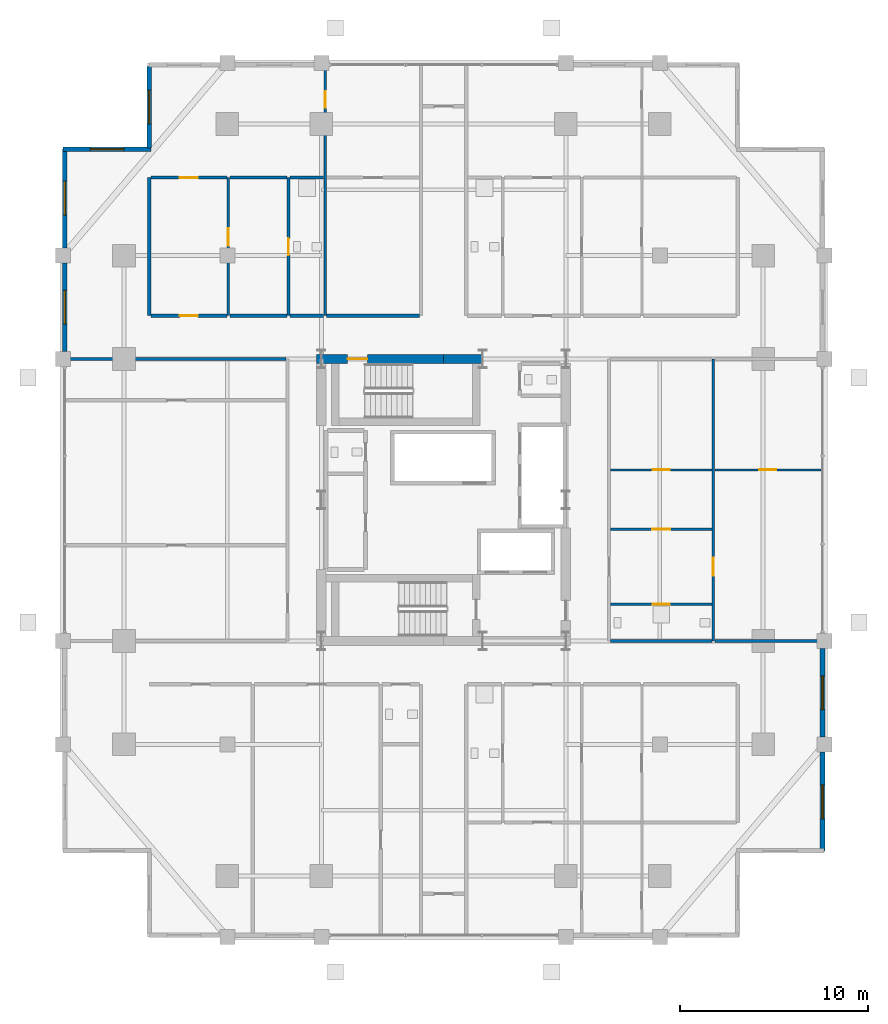
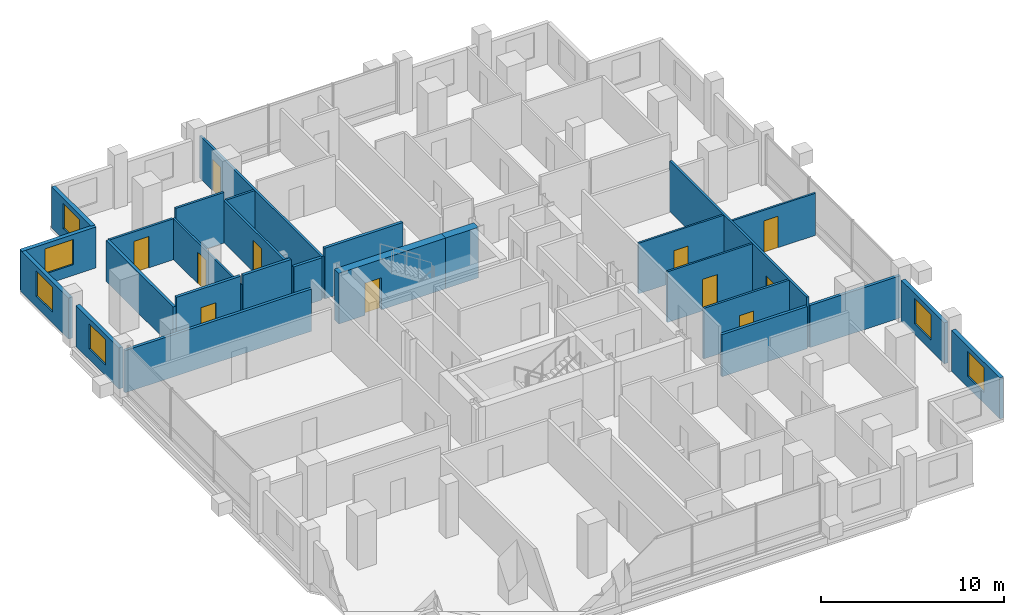
# One storey, part 16 of 20: 27 walls, 11 doors, 6 windows, 17 openings.
"""IFC4 building model written with IfcOpenShell, lengths in metres."""

from ifc_helpers import new_model, si_unit, direction, frame, frame_2d, origin, place, context, subcontext, project, spatial, rectangle, extrude, material, layer, layer_set, type_object, element, fill, save


model = new_model("IFC4")

# Units and contexts
model_context = context("Model", 3, precision=1e-05, world=origin(), true_north=direction((0.0, 1.0)))
body_context = subcontext(model_context, "Body", "Model", "MODEL_VIEW")
ifc_project = project(units=[si_unit("LENGTHUNIT", "METRE"), si_unit("AREAUNIT", "SQUARE_METRE"), si_unit("VOLUMEUNIT", "CUBIC_METRE"), si_unit("PLANEANGLEUNIT", "RADIAN"), si_unit("MASSUNIT", "GRAM", prefix="KILO")], contexts=[model_context])

# Site, building, storey
site_placement = place(None, origin())
site = spatial("IfcSite", under=ifc_project, at=site_placement, CompositionType="ELEMENT")
building_placement = place(site_placement, origin())
building = spatial("IfcBuilding", under=site, at=building_placement, Name="Barlavira Tower and Art Museum", CompositionType="ELEMENT")
storey_placement = place(building_placement, frame((0.0, 0.0, 147.60009765625)))
storey = spatial("IfcBuildingStorey", under=building, at=storey_placement, Name="L37", CompositionType="ELEMENT", Elevation=147.60009765625)

# Wall, opening, door
ifc_material_1 = material(Name="Gypsum acoustic stud partition", Category="gypsum")
ifc_layer_1 = layer(ifc_material_1, 0.1201171875, Name="Gypsum acoustic stud partition")
ifc_layer_set_1 = layer_set([ifc_layer_1], Name="Gypsum acoustic stud partition")
wall_type_1 = type_object("IfcWallType", Name="Apartment Internal Acoustic Partition 120", PredefinedType="PARTITIONING", material=ifc_layer_set_1)
wall_1_placement = place(storey_placement, frame((-11.449951171875, 9.800048828125, 0.0), z_axis=(0.0, 0.0, 1.0), x_axis=(0.0, 1.0, 0.0)))
wall_1 = element("IfcWall", 1, at=wall_1_placement, inside=storey, type_object=wall_type_1, Name="L37 Partition Wall 2", PredefinedType="PARTITIONING", context=body_context, shape_type="SweptSolid", body=[
    extrude(rectangle(XDim=7.349853515625, YDim=0.1201171875, at=frame_2d((3.6748046875, 0.0))), origin(), (0.0, 0.0, 1.0), 2.73583984375),
])
opening_1_placement = place(wall_1_placement, frame((3.71337890625, 0.0, 0.0)))
opening_1 = element("IfcOpeningElement", 2, at=opening_1_placement, cuts=wall_1, Name="Opening D-02", PredefinedType="OPENING", context=body_context, shape_type="SweptSolid", body=[
    extrude(rectangle(XDim=0.949951171875, YDim=2.10009765625, at=frame_2d((0.47509765625, 1.050048828125))), frame((0.0, 0.070068359375, 0.0), z_axis=(0.0, -1.0, 0.0), x_axis=(1.0, 0.0, 0.0)), (0.0, 0.0, 1.0), 0.14013671875),
])
ifc_material_2 = material(Name="Engineered coastal hardwood", Category="wood")
door_type_1 = type_object("IfcDoorType", Name="Living and Salon Glazed-Leaf Door 950x2100", OperationType="NOTDEFINED", PredefinedType="DOOR", material=ifc_material_2)
door_1_placement = place(opening_1_placement, origin())
door_1 = element("IfcDoor", 3, at=door_1_placement, inside=storey, type_object=door_type_1, Name="Apartment NW1 Kitchen Door", OperationType="SINGLE_SWING_LEFT", OverallHeight=2.10009765625, OverallWidth=0.949951171875, PredefinedType="DOOR", context=body_context, shape_type="SweptSolid", body=[
    extrude(rectangle(XDim=0.949951171875, YDim=2.10009765625, at=frame_2d((0.47509765625, 1.050048828125))), frame((0.0, 0.02490234375, 0.0), z_axis=(0.0, -1.0, 0.0), x_axis=(1.0, 0.0, 0.0)), (0.0, 0.0, 1.0), 0.050048828125),
])
fill(opening_1, door_1)

wall_2_placement = place(storey_placement, frame((8.8798828125, -1.550048828125, 0.0), z_axis=(0.0, 0.0, 1.0), x_axis=(1.0, 0.0, 0.0)))
wall_2 = element("IfcWall", 4, at=wall_2_placement, inside=storey, type_object=wall_type_1, Name="L37 Partition Wall 44", PredefinedType="PARTITIONING", context=body_context, shape_type="SweptSolid", body=[
    extrude(rectangle(XDim=5.39013671875, YDim=0.1201171875, at=frame_2d((2.695068359375, 0.0))), origin(), (0.0, 0.0, 1.0), 3.3798828125),
])
opening_2_placement = place(wall_2_placement, frame((2.215087890625, 0.0, 0.0)))
opening_2 = element("IfcOpeningElement", 5, at=opening_2_placement, cuts=wall_2, Name="Opening D-02", PredefinedType="OPENING", context=body_context, shape_type="SweptSolid", body=[
    extrude(rectangle(XDim=0.949951171875, YDim=2.10009765625, at=frame_2d((0.47509765625, 1.050048828125))), frame((0.0, 0.070068359375, 0.0), z_axis=(0.0, -1.0, 0.0), x_axis=(1.0, 0.0, 0.0)), (0.0, 0.0, 1.0), 0.14013671875),
])
door_2_placement = place(opening_2_placement, origin())
door_2 = element("IfcDoor", 6, at=door_2_placement, inside=storey, type_object=door_type_1, Name="Apartment E1 Kitchen Door", OperationType="SINGLE_SWING_LEFT", OverallHeight=2.10009765625, OverallWidth=0.949951171875, PredefinedType="DOOR", context=body_context, shape_type="SweptSolid", body=[
    extrude(rectangle(XDim=0.949951171875, YDim=2.10009765625, at=frame_2d((0.47509765625, 1.050048828125))), frame((0.0, 0.02490234375, 0.0), z_axis=(0.0, -1.0, 0.0), x_axis=(1.0, 0.0, 0.0)), (0.0, 0.0, 1.0), 0.050048828125),
])
fill(opening_2, door_2)

wall_3_placement = place(storey_placement, frame((8.8798828125, 1.60009765625, 0.0), z_axis=(0.0, 0.0, 1.0), x_axis=(1.0, 0.0, 0.0)))
wall_3 = element("IfcWall", 7, at=wall_3_placement, inside=storey, type_object=wall_type_1, Name="L37 Partition Wall 46", PredefinedType="PARTITIONING", context=body_context, shape_type="SweptSolid", body=[
    extrude(rectangle(XDim=5.39013671875, YDim=0.1201171875, at=frame_2d((2.695068359375, 0.0))), origin(), (0.0, 0.0, 1.0), 3.3798828125),
])
opening_3_placement = place(wall_3_placement, frame((2.239990234375, 0.0, 0.0)))
opening_3 = element("IfcOpeningElement", 8, at=opening_3_placement, cuts=wall_3, Name="Opening D-01", PredefinedType="OPENING", context=body_context, shape_type="SweptSolid", body=[
    extrude(rectangle(XDim=0.89990234375, YDim=2.10009765625, at=frame_2d((0.449951171875, 1.050048828125))), frame((0.0, 0.070068359375, 0.0), z_axis=(0.0, -1.0, 0.0), x_axis=(1.0, 0.0, 0.0)), (0.0, 0.0, 1.0), 0.14013671875),
])
door_type_2 = type_object("IfcDoorType", Name="Internal Bedroom Timber Flush Door 900x2100", OperationType="NOTDEFINED", PredefinedType="DOOR", material=ifc_material_2)
door_3_placement = place(opening_3_placement, origin())
door_3 = element("IfcDoor", 9, at=door_3_placement, inside=storey, type_object=door_type_2, Name="Apartment E1 Walk-In Dressing Room Door", OperationType="SINGLE_SWING_RIGHT", OverallHeight=2.10009765625, OverallWidth=0.89990234375, PredefinedType="DOOR", context=body_context, shape_type="SweptSolid", body=[
    extrude(rectangle(XDim=0.89990234375, YDim=2.10009765625, at=frame_2d((0.449951171875, 1.050048828125))), frame((0.0, 0.02490234375, 0.0), z_axis=(0.0, -1.0, 0.0), x_axis=(1.0, 0.0, 0.0)), (0.0, 0.0, 1.0), 0.050048828125),
])
fill(opening_3, door_3)

wall_4_placement = place(storey_placement, frame((14.429931640625, 1.60009765625, 0.0), z_axis=(0.0, 0.0, 1.0), x_axis=(1.0, 0.0, 0.0)))
wall_4 = element("IfcWall", 10, at=wall_4_placement, inside=storey, type_object=wall_type_1, Name="L37 Partition Wall 47", PredefinedType="PARTITIONING", context=body_context, shape_type="SweptSolid", body=[
    extrude(rectangle(XDim=5.64013671875, YDim=0.1201171875, at=frame_2d((2.820068359375, 0.0))), origin(), (0.0, 0.0, 1.0), 2.81591796875),
])
opening_4_placement = place(wall_4_placement, frame((2.3701171875, 0.0, 0.0)))
opening_4 = element("IfcOpeningElement", 11, at=opening_4_placement, cuts=wall_4, Name="Opening D-01", PredefinedType="OPENING", context=body_context, shape_type="SweptSolid", body=[
    extrude(rectangle(XDim=0.89990234375, YDim=2.10009765625, at=frame_2d((0.449951171875, 1.050048828125))), frame((0.0, 0.070068359375, 0.0), z_axis=(0.0, -1.0, 0.0), x_axis=(1.0, 0.0, 0.0)), (0.0, 0.0, 1.0), 0.14013671875),
])
door_4_placement = place(opening_4_placement, origin())
door_4 = element("IfcDoor", 12, at=door_4_placement, inside=storey, type_object=door_type_2, Name="Apartment E1 Bedroom 1 Door", OperationType="SINGLE_SWING_RIGHT", OverallHeight=2.10009765625, OverallWidth=0.89990234375, PredefinedType="DOOR", context=body_context, shape_type="SweptSolid", body=[
    extrude(rectangle(XDim=0.89990234375, YDim=2.10009765625, at=frame_2d((0.449951171875, 1.050048828125))), frame((0.0, 0.02490234375, 0.0), z_axis=(0.0, -1.0, 0.0), x_axis=(1.0, 0.0, 0.0)), (0.0, 0.0, 1.0), 0.050048828125),
])
fill(opening_4, door_4)

ifc_material_3 = material(Name="Concrete C60", Category="concrete")
ifc_layer_2 = layer(ifc_material_3, 0.5, Name="Concrete C60")
ifc_layer_set_2 = layer_set([ifc_layer_2], Name="Concrete C60")
wall_type_2 = type_object("IfcWallType", Name="Core Structural Shear Wall 500 Concrete C60", PredefinedType="SHEAR", material=ifc_layer_set_2)
wall_5_placement = place(storey_placement, frame((-6.75, 7.5, 0.0), z_axis=(0.0, 0.0, 1.0), x_axis=(1.0, 0.0, 0.0)))
wall_5 = element("IfcWall", 13, at=wall_5_placement, inside=storey, type_object=wall_type_2, Name="L37 Core Shear Wall CS-NW", PredefinedType="SHEAR", context=body_context, shape_type="SweptSolid", body=[
    extrude(rectangle(XDim=6.75, YDim=0.5, at=frame_2d((3.375, 0.0))), origin(), (0.0, 0.0, 1.0), 3.3798828125),
])
opening_5_placement = place(wall_5_placement, frame((1.64990234375, 0.0, 0.0)))
opening_5 = element("IfcOpeningElement", 14, at=opening_5_placement, cuts=wall_5, Name="Opening FD-90", PredefinedType="OPENING", context=body_context, shape_type="SweptSolid", body=[
    extrude(rectangle(XDim=1.050048828125, YDim=2.14990234375, at=frame_2d((0.52490234375, 1.074951171875))), frame((0.0, 0.260009765625, 0.0), z_axis=(0.0, -1.0, 0.0), x_axis=(1.0, 0.0, 0.0)), (0.0, 0.0, 1.0), 0.52001953125),
])
ifc_material_4 = material(Name="Brushed stainless steel", Category="steel")
door_type_3 = type_object("IfcDoorType", Name="Stair and Refuge Fire Door 1050x2150 FD90S", OperationType="NOTDEFINED", PredefinedType="DOOR", material=ifc_material_4)
door_5_placement = place(opening_5_placement, origin())
door_5 = element("IfcDoor", 15, at=door_5_placement, inside=storey, type_object=door_type_3, Name="L37 Stair ST-T2 Fire Door", OperationType="SINGLE_SWING_LEFT", OverallHeight=2.14990234375, OverallWidth=1.050048828125, PredefinedType="DOOR", context=body_context, shape_type="SweptSolid", body=[
    extrude(rectangle(XDim=1.050048828125, YDim=2.14990234375, at=frame_2d((0.52490234375, 1.074951171875))), frame((0.0, 0.02490234375, 0.0), z_axis=(0.0, -1.0, 0.0), x_axis=(1.0, 0.0, 0.0)), (0.0, 0.0, 1.0), 0.050048828125),
])
fill(opening_5, door_5)

# Walls
wall_6_placement = place(storey_placement, frame((0.0, 7.5, 0.0), z_axis=(0.0, 0.0, 1.0), x_axis=(1.0, 0.0, 0.0)))
element("IfcWall", 16, at=wall_6_placement, inside=storey, type_object=wall_type_2, Name="L37 Core Shear Wall CS-EN", PredefinedType="SHEAR", context=body_context, shape_type="SweptSolid", body=[
    extrude(rectangle(XDim=2.080078125, YDim=0.5, at=frame_2d((1.0400390625, 0.0))), origin(), (0.0, 0.0, 1.0), 3.3798828125),
])
ifc_layer_3 = layer(ifc_material_1, 0.179931640625, Name="Gypsum acoustic stud partition")
ifc_layer_set_3 = layer_set([ifc_layer_3], Name="Gypsum acoustic stud partition")
wall_type_3 = type_object("IfcWallType", Name="Inter-Tenancy Party Partition Wall 180", PredefinedType="PARTITIONING", material=ifc_layer_set_3)
wall_7_placement = place(storey_placement, frame((-15.64990234375, 9.800048828125, 0.0), z_axis=(0.0, 0.0, 1.0), x_axis=(0.0, 1.0, 0.0)))
element("IfcWall", 17, at=wall_7_placement, inside=storey, type_object=wall_type_3, Name="L37 Partition Wall 1", PredefinedType="PARTITIONING", context=body_context, shape_type="SweptSolid", body=[
    extrude(rectangle(XDim=7.349853515625, YDim=0.179931640625, at=frame_2d((3.6748046875, 0.0))), origin(), (0.0, 0.0, 1.0), 2.73583984375),
])
wall_8_placement = place(storey_placement, frame((8.8798828125, -7.5, 0.0), z_axis=(0.0, 0.0, 1.0), x_axis=(1.0, 0.0, 0.0)))
element("IfcWall", 18, at=wall_8_placement, inside=storey, type_object=wall_type_3, Name="L37 Partition Wall 39", PredefinedType="PARTITIONING", context=body_context, shape_type="SweptSolid", body=[
    extrude(rectangle(XDim=5.39013671875, YDim=0.179931640625, at=frame_2d((2.695068359375, 0.0))), origin(), (0.0, 0.0, 1.0), 2.81591796875),
])
wall_9_placement = place(storey_placement, frame((14.429931640625, -7.5, 0.0), z_axis=(0.0, 0.0, 1.0), x_axis=(1.0, 0.0, 0.0)))
element("IfcWall", 19, at=wall_9_placement, inside=storey, type_object=wall_type_3, Name="L37 Partition Wall 40", PredefinedType="PARTITIONING", context=body_context, shape_type="SweptSolid", body=[
    extrude(rectangle(XDim=5.719970703125, YDim=0.179931640625, at=frame_2d((2.85986328125, 0.0))), origin(), (0.0, 0.0, 1.0), 2.81591796875),
])
wall_10_placement = place(storey_placement, frame((-20.14990234375, 7.5, 0.0), z_axis=(0.0, 0.0, 1.0), x_axis=(1.0, 0.0, 0.0)))
element("IfcWall", 20, at=wall_10_placement, inside=storey, type_object=wall_type_3, Name="L37 Partition Wall 52", PredefinedType="PARTITIONING", context=body_context, shape_type="SweptSolid", body=[
    extrude(rectangle(XDim=11.77001953125, YDim=0.179931640625, at=frame_2d((5.885009765625, 0.0))), origin(), (0.0, 0.0, 1.0), 2.81591796875),
])

# Wall, opening, door
wall_11_placement = place(storey_placement, frame((-15.570068359375, 9.800048828125, 0.0), z_axis=(0.0, 0.0, 1.0), x_axis=(1.0, 0.0, 0.0)))
wall_11 = element("IfcWall", 21, at=wall_11_placement, inside=storey, type_object=wall_type_3, Name="L37 Partition Wall 55", PredefinedType="PARTITIONING", context=body_context, shape_type="SweptSolid", body=[
    extrude(rectangle(XDim=4.0400390625, YDim=0.179931640625, at=frame_2d((2.02001953125, 0.0))), origin(), (0.0, 0.0, 1.0), 3.3798828125),
])
opening_6_placement = place(wall_11_placement, frame((1.544921875, 0.0, 0.0)))
opening_6 = element("IfcOpeningElement", 22, at=opening_6_placement, cuts=wall_11, Name="Opening FD-60", PredefinedType="OPENING", context=body_context, shape_type="SweptSolid", body=[
    extrude(rectangle(XDim=0.949951171875, YDim=2.14990234375, at=frame_2d((0.47509765625, 1.074951171875))), frame((0.0, 0.10009765625, 0.0), z_axis=(0.0, -1.0, 0.0), x_axis=(1.0, 0.0, 0.0)), (0.0, 0.0, 1.0), 0.199951171875),
])
door_type_4 = type_object("IfcDoorType", Name="Apartment Entrance and Riser Fire Door 950x2150 FD60S", OperationType="NOTDEFINED", PredefinedType="DOOR", material=ifc_material_4)
door_6_placement = place(opening_6_placement, origin())
door_6 = element("IfcDoor", 23, at=door_6_placement, inside=storey, type_object=door_type_4, Name="Apartment Entrance Hall NW1 Door", OperationType="SINGLE_SWING_RIGHT", OverallHeight=2.14990234375, OverallWidth=0.949951171875, PredefinedType="DOOR", context=body_context, shape_type="SweptSolid", body=[
    extrude(rectangle(XDim=0.949951171875, YDim=2.14990234375, at=frame_2d((0.47509765625, 1.074951171875))), frame((0.0, 0.02490234375, 0.0), z_axis=(0.0, -1.0, 0.0), x_axis=(1.0, 0.0, 0.0)), (0.0, 0.0, 1.0), 0.050048828125),
])
fill(opening_6, door_6)

# Walls
wall_12_placement = place(storey_placement, frame((-11.3701171875, 9.800048828125, 0.0), z_axis=(0.0, 0.0, 1.0), x_axis=(1.0, 0.0, 0.0)))
element("IfcWall", 24, at=wall_12_placement, inside=storey, type_object=wall_type_3, Name="L37 Partition Wall 56", PredefinedType="PARTITIONING", context=body_context, shape_type="SweptSolid", body=[
    extrude(rectangle(XDim=3.0400390625, YDim=0.179931640625, at=frame_2d((1.52001953125, 0.0))), origin(), (0.0, 0.0, 1.0), 3.3798828125),
])
wall_13_placement = place(storey_placement, frame((-8.169921875, 9.800048828125, 0.0), z_axis=(0.0, 0.0, 1.0), x_axis=(1.0, 0.0, 0.0)))
element("IfcWall", 25, at=wall_13_placement, inside=storey, type_object=wall_type_3, Name="L37 Partition Wall 57", PredefinedType="PARTITIONING", context=body_context, shape_type="SweptSolid", body=[
    extrude(rectangle(XDim=1.7900390625, YDim=0.179931640625, at=frame_2d((0.89501953125, 0.0))), origin(), (0.0, 0.0, 1.0), 2.81591796875),
])
wall_14_placement = place(storey_placement, frame((-6.219970703125, 9.800048828125, 0.0), z_axis=(0.0, 0.0, 1.0), x_axis=(1.0, 0.0, 0.0)))
element("IfcWall", 26, at=wall_14_placement, inside=storey, type_object=wall_type_3, Name="L37 Partition Wall 58", PredefinedType="PARTITIONING", context=body_context, shape_type="SweptSolid", body=[
    extrude(rectangle(XDim=4.93994140625, YDim=0.179931640625, at=frame_2d((2.469970703125, 0.0))), origin(), (0.0, 0.0, 1.0), 3.3798828125),
])

# Wall, opening, door
ifc_layer_4 = layer(ifc_material_1, 0.139892578125, Name="Gypsum acoustic stud partition")
ifc_layer_set_4 = layer_set([ifc_layer_4], Name="Gypsum acoustic stud partition")
wall_type_4 = type_object("IfcWallType", Name="Moisture-Resistant Bathroom Partition 140", PredefinedType="PARTITIONING", material=ifc_layer_set_4)
wall_15_placement = place(storey_placement, frame((-8.25, 9.800048828125, 0.0), z_axis=(0.0, 0.0, 1.0), x_axis=(0.0, 1.0, 0.0)))
wall_15 = element("IfcWall", 27, at=wall_15_placement, inside=storey, type_object=wall_type_4, Name="L37 Partition Wall 5", PredefinedType="PARTITIONING", context=body_context, shape_type="SweptSolid", body=[
    extrude(rectangle(XDim=7.349853515625, YDim=0.139892578125, at=frame_2d((3.6748046875, 0.0))), origin(), (0.0, 0.0, 1.0), 2.81591796875),
])
opening_7_placement = place(wall_15_placement, frame((3.219970703125, 0.0, 0.0)))
opening_7 = element("IfcOpeningElement", 28, at=opening_7_placement, cuts=wall_15, Name="Opening D-WC", PredefinedType="OPENING", context=body_context, shape_type="SweptSolid", body=[
    extrude(rectangle(XDim=0.89990234375, YDim=2.10009765625, at=frame_2d((0.449951171875, 1.050048828125))), frame((0.0, 0.080078125, 0.0), z_axis=(0.0, -1.0, 0.0), x_axis=(1.0, 0.0, 0.0)), (0.0, 0.0, 1.0), 0.159912109375),
])
door_type_5 = type_object("IfcDoorType", Name="Accessible Bathroom Flush Door 900x2100", OperationType="NOTDEFINED", PredefinedType="DOOR", material=ifc_material_2)
door_7_placement = place(opening_7_placement, origin())
door_7 = element("IfcDoor", 29, at=door_7_placement, inside=storey, type_object=door_type_5, Name="Apartment NW1 Hall Bathroom Door", OperationType="SINGLE_SWING_RIGHT", OverallHeight=2.10009765625, OverallWidth=0.89990234375, PredefinedType="DOOR", context=body_context, shape_type="SweptSolid", body=[
    extrude(rectangle(XDim=0.89990234375, YDim=2.10009765625, at=frame_2d((0.449951171875, 1.050048828125))), frame((0.0, 0.02490234375, 0.0), z_axis=(0.0, -1.0, 0.0), x_axis=(1.0, 0.0, 0.0)), (0.0, 0.0, 1.0), 0.050048828125),
])
fill(opening_7, door_7)

wall_16_placement = place(storey_placement, frame((-6.300048828125, 9.800048828125, 0.0), z_axis=(0.0, 0.0, 1.0), x_axis=(0.0, 1.0, 0.0)))
wall_16 = element("IfcWall", 30, at=wall_16_placement, inside=storey, type_object=wall_type_4, Name="L37 Partition Wall 6", PredefinedType="PARTITIONING", context=body_context, shape_type="SweptSolid", body=[
    extrude(rectangle(XDim=13.349853515625, YDim=0.139892578125, at=frame_2d((6.6748046875, 0.0))), origin(), (0.0, 0.0, 1.0), 2.81591796875),
])
opening_8_placement = place(wall_16_placement, frame((11.051025390625, 0.0, 0.0)))
opening_8 = element("IfcOpeningElement", 31, at=opening_8_placement, cuts=wall_16, Name="Opening D-01", PredefinedType="OPENING", context=body_context, shape_type="SweptSolid", body=[
    extrude(rectangle(XDim=0.89990234375, YDim=2.10009765625, at=frame_2d((0.449951171875, 1.050048828125))), frame((0.0, 0.080078125, 0.0), z_axis=(0.0, -1.0, 0.0), x_axis=(1.0, 0.0, 0.0)), (0.0, 0.0, 1.0), 0.159912109375),
])
door_8_placement = place(opening_8_placement, origin())
door_8 = element("IfcDoor", 32, at=door_8_placement, inside=storey, type_object=door_type_2, Name="Apartment NW1 Bedroom 1 Door", OperationType="SINGLE_SWING_LEFT", OverallHeight=2.10009765625, OverallWidth=0.89990234375, PredefinedType="DOOR", context=body_context, shape_type="SweptSolid", body=[
    extrude(rectangle(XDim=0.89990234375, YDim=2.10009765625, at=frame_2d((0.449951171875, 1.050048828125))), frame((0.0, 0.02490234375, 0.0), z_axis=(0.0, -1.0, 0.0), x_axis=(1.0, 0.0, 0.0)), (0.0, 0.0, 1.0), 0.050048828125),
])
fill(opening_8, door_8)

wall_17_placement = place(storey_placement, frame((14.35009765625, -7.5, 0.0), z_axis=(0.0, 0.0, 1.0), x_axis=(0.0, 1.0, 0.0)))
wall_17 = element("IfcWall", 33, at=wall_17_placement, inside=storey, type_object=wall_type_4, Name="L37 Partition Wall 22", PredefinedType="PARTITIONING", context=body_context, shape_type="SweptSolid", body=[
    extrude(rectangle(XDim=15.0, YDim=0.139892578125, at=frame_2d((7.5, 0.0))), origin(), (0.0, 0.0, 1.0), 3.3798828125),
])
opening_9_placement = place(wall_17_placement, frame((3.47509765625, 0.0, 0.0)))
opening_9 = element("IfcOpeningElement", 34, at=opening_9_placement, cuts=wall_17, Name="Opening D-02", PredefinedType="OPENING", context=body_context, shape_type="SweptSolid", body=[
    extrude(rectangle(XDim=0.949951171875, YDim=2.10009765625, at=frame_2d((0.47509765625, 1.050048828125))), frame((0.0, 0.080078125, 0.0), z_axis=(0.0, -1.0, 0.0), x_axis=(1.0, 0.0, 0.0)), (0.0, 0.0, 1.0), 0.159912109375),
])
door_9_placement = place(opening_9_placement, origin())
door_9 = element("IfcDoor", 35, at=door_9_placement, inside=storey, type_object=door_type_1, Name="Apartment E1 Living Lounge Door", OperationType="SINGLE_SWING_LEFT", OverallHeight=2.10009765625, OverallWidth=0.949951171875, PredefinedType="DOOR", context=body_context, shape_type="SweptSolid", body=[
    extrude(rectangle(XDim=0.949951171875, YDim=2.10009765625, at=frame_2d((0.47509765625, 1.050048828125))), frame((0.0, 0.02490234375, 0.0), z_axis=(0.0, -1.0, 0.0), x_axis=(1.0, 0.0, 0.0)), (0.0, 0.0, 1.0), 0.050048828125),
])
fill(opening_9, door_9)

wall_18_placement = place(storey_placement, frame((8.8798828125, -5.550048828125, 0.0), z_axis=(0.0, 0.0, 1.0), x_axis=(1.0, 0.0, 0.0)))
wall_18 = element("IfcWall", 36, at=wall_18_placement, inside=storey, type_object=wall_type_4, Name="L37 Partition Wall 41", PredefinedType="PARTITIONING", context=body_context, shape_type="SweptSolid", body=[
    extrude(rectangle(XDim=5.39013671875, YDim=0.139892578125, at=frame_2d((2.695068359375, 0.0))), origin(), (0.0, 0.0, 1.0), 3.3798828125),
])
opening_10_placement = place(wall_18_placement, frame((2.239990234375, 0.0, 0.0)))
opening_10 = element("IfcOpeningElement", 37, at=opening_10_placement, cuts=wall_18, Name="Opening D-WC", PredefinedType="OPENING", context=body_context, shape_type="SweptSolid", body=[
    extrude(rectangle(XDim=0.89990234375, YDim=2.10009765625, at=frame_2d((0.449951171875, 1.050048828125))), frame((0.0, 0.080078125, 0.0), z_axis=(0.0, -1.0, 0.0), x_axis=(1.0, 0.0, 0.0)), (0.0, 0.0, 1.0), 0.159912109375),
])
door_10_placement = place(opening_10_placement, origin())
door_10 = element("IfcDoor", 38, at=door_10_placement, inside=storey, type_object=door_type_5, Name="Apartment E1 Hall Bathroom Door", OperationType="SINGLE_SWING_LEFT", OverallHeight=2.10009765625, OverallWidth=0.89990234375, PredefinedType="DOOR", context=body_context, shape_type="SweptSolid", body=[
    extrude(rectangle(XDim=0.89990234375, YDim=2.10009765625, at=frame_2d((0.449951171875, 1.050048828125))), frame((0.0, 0.02490234375, 0.0), z_axis=(0.0, -1.0, 0.0), x_axis=(1.0, 0.0, 0.0)), (0.0, 0.0, 1.0), 0.050048828125),
])
fill(opening_10, door_10)

wall_19_placement = place(storey_placement, frame((-15.570068359375, 17.14990234375, 0.0), z_axis=(0.0, 0.0, 1.0), x_axis=(1.0, 0.0, 0.0)))
wall_19 = element("IfcWall", 39, at=wall_19_placement, inside=storey, type_object=wall_type_4, Name="L37 Partition Wall 63", PredefinedType="PARTITIONING", context=body_context, shape_type="SweptSolid", body=[
    extrude(rectangle(XDim=4.0400390625, YDim=0.139892578125, at=frame_2d((2.02001953125, 0.0))), origin(), (0.0, 0.0, 1.0), 2.73583984375),
])
opening_11_placement = place(wall_19_placement, frame((1.544921875, 0.0, 0.0)))
opening_11 = element("IfcOpeningElement", 40, at=opening_11_placement, cuts=wall_19, Name="Opening D-02", PredefinedType="OPENING", context=body_context, shape_type="SweptSolid", body=[
    extrude(rectangle(XDim=0.949951171875, YDim=2.10009765625, at=frame_2d((0.47509765625, 1.050048828125))), frame((0.0, 0.080078125, 0.0), z_axis=(0.0, -1.0, 0.0), x_axis=(1.0, 0.0, 0.0)), (0.0, 0.0, 1.0), 0.159912109375),
])
door_11_placement = place(opening_11_placement, origin())
door_11 = element("IfcDoor", 41, at=door_11_placement, inside=storey, type_object=door_type_1, Name="Apartment NW1 Living Lounge Door", OperationType="SINGLE_SWING_RIGHT", OverallHeight=2.10009765625, OverallWidth=0.949951171875, PredefinedType="DOOR", context=body_context, shape_type="SweptSolid", body=[
    extrude(rectangle(XDim=0.949951171875, YDim=2.10009765625, at=frame_2d((0.47509765625, 1.050048828125))), frame((0.0, 0.02490234375, 0.0), z_axis=(0.0, -1.0, 0.0), x_axis=(1.0, 0.0, 0.0)), (0.0, 0.0, 1.0), 0.050048828125),
])
fill(opening_11, door_11)

# Walls
wall_20_placement = place(storey_placement, frame((-11.3701171875, 17.14990234375, 0.0), z_axis=(0.0, 0.0, 1.0), x_axis=(1.0, 0.0, 0.0)))
element("IfcWall", 42, at=wall_20_placement, inside=storey, type_object=wall_type_4, Name="L37 Partition Wall 64", PredefinedType="PARTITIONING", context=body_context, shape_type="SweptSolid", body=[
    extrude(rectangle(XDim=3.0400390625, YDim=0.139892578125, at=frame_2d((1.52001953125, 0.0))), origin(), (0.0, 0.0, 1.0), 3.3798828125),
])
wall_21_placement = place(storey_placement, frame((-8.169921875, 17.14990234375, 0.0), z_axis=(0.0, 0.0, 1.0), x_axis=(1.0, 0.0, 0.0)))
element("IfcWall", 43, at=wall_21_placement, inside=storey, type_object=wall_type_4, Name="L37 Partition Wall 65", PredefinedType="PARTITIONING", context=body_context, shape_type="SweptSolid", body=[
    extrude(rectangle(XDim=1.7900390625, YDim=0.139892578125, at=frame_2d((0.89501953125, 0.0))), origin(), (0.0, 0.0, 1.0), 2.81591796875),
])

# Wall, opening, window
ifc_material_5 = material(Name="Precast concrete C40", Category="concrete")
ifc_layer_5 = layer(ifc_material_5, 0.25, Name="Precast concrete C40")
ifc_layer_set_5 = layer_set([ifc_layer_5], Name="Precast concrete C40")
wall_type_5 = type_object("IfcWallType", Name="Notched Corner Spandrel Wall 250 Precast Concrete C40", PredefinedType="SOLIDWALL", material=ifc_layer_set_5)
wall_22_placement = place(storey_placement, frame((-20.14990234375, 18.675048828125, 0.0), z_axis=(0.0, 0.0, 1.0), x_axis=(0.0, -1.0, 0.0)))
wall_22 = element("IfcWall", 44, at=wall_22_placement, inside=storey, type_object=wall_type_5, Name="L37 Coastal Facade Pier Wall CW2-L37-W-1", PredefinedType="SOLIDWALL", context=body_context, shape_type="SweptSolid", body=[
    extrude(rectangle(XDim=5.280029296875, YDim=0.25, at=frame_2d((2.64013671875, 0.0))), origin(), (0.0, 0.0, 1.0), 2.73583984375),
])
opening_12_placement = place(wall_22_placement, frame((1.718017578125, 0.0, 0.719970703125)))
opening_12 = element("IfcOpeningElement", 45, at=opening_12_placement, cuts=wall_22, Name="Opening WN-01", PredefinedType="OPENING", context=body_context, shape_type="SweptSolid", body=[
    extrude(rectangle(XDim=1.800048828125, YDim=1.679931640625, at=frame_2d((0.89990234375, 0.83984375))), frame((0.0, 0.135009765625, 0.0), z_axis=(0.0, -1.0, 0.0), x_axis=(1.0, 0.0, 0.0)), (0.0, 0.0, 1.0), 0.27001953125),
])
ifc_material_6 = material(Name="Low-iron coastal laminated glass", Category="glass")
window_type = type_object("IfcWindowType", Name="Recessed Notch Corner Punch Window 1800x1680", PartitioningType="SINGLE_PANEL", PredefinedType="WINDOW", material=ifc_material_6)
window_1_placement = place(opening_12_placement, origin())
window_1 = element("IfcWindow", 46, at=window_1_placement, inside=storey, type_object=window_type, Name="L37 Punched Facade Window EWP-CW2-L37-W-1-1", OverallHeight=1.679931640625, OverallWidth=1.800048828125, PartitioningType="SINGLE_PANEL", PredefinedType="WINDOW", context=body_context, shape_type="SweptSolid", body=[
    extrude(rectangle(XDim=1.800048828125, YDim=1.679931640625, at=frame_2d((0.89990234375, 0.83984375))), frame((0.0, 0.030029296875, 0.0), z_axis=(0.0, -1.0, 0.0), x_axis=(1.0, 0.0, 0.0)), (0.0, 0.0, 1.0), 0.06005859375),
])
fill(opening_12, window_1)

wall_23_placement = place(storey_placement, frame((-20.14990234375, 12.60498046875, 0.0), z_axis=(0.0, 0.0, 1.0), x_axis=(0.0, -1.0, 0.0)))
wall_23 = element("IfcWall", 47, at=wall_23_placement, inside=storey, type_object=wall_type_5, Name="L37 Coastal Facade Pier Wall CW2-L37-W-2", PredefinedType="SOLIDWALL", context=body_context, shape_type="SweptSolid", body=[
    extrude(rectangle(XDim=4.7099609375, YDim=0.25, at=frame_2d((2.35498046875, 0.0))), origin(), (0.0, 0.0, 1.0), 2.73583984375),
])
opening_13_placement = place(wall_23_placement, frame((1.455078125, 0.0, 0.719970703125)))
opening_13 = element("IfcOpeningElement", 48, at=opening_13_placement, cuts=wall_23, Name="Opening WN-01", PredefinedType="OPENING", context=body_context, shape_type="SweptSolid", body=[
    extrude(rectangle(XDim=1.800048828125, YDim=1.679931640625, at=frame_2d((0.89990234375, 0.83984375))), frame((0.0, 0.135009765625, 0.0), z_axis=(0.0, -1.0, 0.0), x_axis=(1.0, 0.0, 0.0)), (0.0, 0.0, 1.0), 0.27001953125),
])
window_2_placement = place(opening_13_placement, origin())
window_2 = element("IfcWindow", 49, at=window_2_placement, inside=storey, type_object=window_type, Name="L37 Punched Facade Window EWP-CW2-L37-W-2-1", OverallHeight=1.679931640625, OverallWidth=1.800048828125, PartitioningType="SINGLE_PANEL", PredefinedType="WINDOW", context=body_context, shape_type="SweptSolid", body=[
    extrude(rectangle(XDim=1.800048828125, YDim=1.679931640625, at=frame_2d((0.89990234375, 0.83984375))), frame((0.0, 0.030029296875, 0.0), z_axis=(0.0, -1.0, 0.0), x_axis=(1.0, 0.0, 0.0)), (0.0, 0.0, 1.0), 0.06005859375),
])
fill(opening_13, window_2)

wall_24_placement = place(storey_placement, frame((20.14990234375, -18.675048828125, 0.0), z_axis=(0.0, 0.0, 1.0), x_axis=(0.0, 1.0, 0.0)))
wall_24 = element("IfcWall", 50, at=wall_24_placement, inside=storey, type_object=wall_type_5, Name="L37 Coastal Facade Pier Wall CW2-L37-E-1", PredefinedType="SOLIDWALL", context=body_context, shape_type="SweptSolid", body=[
    extrude(rectangle(XDim=5.280029296875, YDim=0.25, at=frame_2d((2.64013671875, 0.0))), origin(), (0.0, 0.0, 1.0), 2.73583984375),
])
opening_14_placement = place(wall_24_placement, frame((1.718017578125, 0.0, 0.719970703125)))
opening_14 = element("IfcOpeningElement", 51, at=opening_14_placement, cuts=wall_24, Name="Opening WN-01", PredefinedType="OPENING", context=body_context, shape_type="SweptSolid", body=[
    extrude(rectangle(XDim=1.800048828125, YDim=1.679931640625, at=frame_2d((0.89990234375, 0.83984375))), frame((0.0, 0.135009765625, 0.0), z_axis=(0.0, -1.0, 0.0), x_axis=(1.0, 0.0, 0.0)), (0.0, 0.0, 1.0), 0.27001953125),
])
window_3_placement = place(opening_14_placement, origin())
window_3 = element("IfcWindow", 52, at=window_3_placement, inside=storey, type_object=window_type, Name="L37 Punched Facade Window EWP-CW2-L37-E-1-1", OverallHeight=1.679931640625, OverallWidth=1.800048828125, PartitioningType="SINGLE_PANEL", PredefinedType="WINDOW", context=body_context, shape_type="SweptSolid", body=[
    extrude(rectangle(XDim=1.800048828125, YDim=1.679931640625, at=frame_2d((0.89990234375, 0.83984375))), frame((0.0, 0.030029296875, 0.0), z_axis=(0.0, -1.0, 0.0), x_axis=(1.0, 0.0, 0.0)), (0.0, 0.0, 1.0), 0.06005859375),
])
fill(opening_14, window_3)

wall_25_placement = place(storey_placement, frame((20.14990234375, -12.60498046875, 0.0), z_axis=(0.0, 0.0, 1.0), x_axis=(0.0, 1.0, 0.0)))
wall_25 = element("IfcWall", 53, at=wall_25_placement, inside=storey, type_object=wall_type_5, Name="L37 Coastal Facade Pier Wall CW2-L37-E-2", PredefinedType="SOLIDWALL", context=body_context, shape_type="SweptSolid", body=[
    extrude(rectangle(XDim=4.7099609375, YDim=0.25, at=frame_2d((2.35498046875, 0.0))), origin(), (0.0, 0.0, 1.0), 2.73583984375),
])
opening_15_placement = place(wall_25_placement, frame((1.455078125, 0.0, 0.719970703125)))
opening_15 = element("IfcOpeningElement", 54, at=opening_15_placement, cuts=wall_25, Name="Opening WN-01", PredefinedType="OPENING", context=body_context, shape_type="SweptSolid", body=[
    extrude(rectangle(XDim=1.800048828125, YDim=1.679931640625, at=frame_2d((0.89990234375, 0.83984375))), frame((0.0, 0.135009765625, 0.0), z_axis=(0.0, -1.0, 0.0), x_axis=(1.0, 0.0, 0.0)), (0.0, 0.0, 1.0), 0.27001953125),
])
window_4_placement = place(opening_15_placement, origin())
window_4 = element("IfcWindow", 55, at=window_4_placement, inside=storey, type_object=window_type, Name="L37 Punched Facade Window EWP-CW2-L37-E-2-1", OverallHeight=1.679931640625, OverallWidth=1.800048828125, PartitioningType="SINGLE_PANEL", PredefinedType="WINDOW", context=body_context, shape_type="SweptSolid", body=[
    extrude(rectangle(XDim=1.800048828125, YDim=1.679931640625, at=frame_2d((0.89990234375, 0.83984375))), frame((0.0, 0.030029296875, 0.0), z_axis=(0.0, -1.0, 0.0), x_axis=(1.0, 0.0, 0.0)), (0.0, 0.0, 1.0), 0.06005859375),
])
fill(opening_15, window_4)

wall_26_placement = place(storey_placement, frame((-15.64990234375, 23.070068359375, 0.0), z_axis=(0.0, 0.0, 1.0), x_axis=(0.0, -1.0, 0.0)))
wall_26 = element("IfcWall", 56, at=wall_26_placement, inside=storey, type_object=wall_type_5, Name="L37 Notch Corner Wall NW1", PredefinedType="SOLIDWALL", context=body_context, shape_type="SweptSolid", body=[
    extrude(rectangle(XDim=4.340087890625, YDim=0.25, at=frame_2d((2.169921875, 0.0))), origin(), (0.0, 0.0, 1.0), 2.73583984375),
])
opening_16_placement = place(wall_26_placement, frame((1.27001953125, 0.0, 0.719970703125)))
opening_16 = element("IfcOpeningElement", 57, at=opening_16_placement, cuts=wall_26, Name="Opening WN-01", PredefinedType="OPENING", context=body_context, shape_type="SweptSolid", body=[
    extrude(rectangle(XDim=1.800048828125, YDim=1.679931640625, at=frame_2d((0.89990234375, 0.83984375))), frame((0.0, 0.135009765625, 0.0), z_axis=(0.0, -1.0, 0.0), x_axis=(1.0, 0.0, 0.0)), (0.0, 0.0, 1.0), 0.27001953125),
])
window_5_placement = place(opening_16_placement, origin())
window_5 = element("IfcWindow", 58, at=window_5_placement, inside=storey, type_object=window_type, Name="L37 Punched Facade Window EW-NTC-L37-NW1-1", OverallHeight=1.679931640625, OverallWidth=1.800048828125, PartitioningType="SINGLE_PANEL", PredefinedType="WINDOW", context=body_context, shape_type="SweptSolid", body=[
    extrude(rectangle(XDim=1.800048828125, YDim=1.679931640625, at=frame_2d((0.89990234375, 0.83984375))), frame((0.0, 0.030029296875, 0.0), z_axis=(0.0, -1.0, 0.0), x_axis=(1.0, 0.0, 0.0)), (0.0, 0.0, 1.0), 0.06005859375),
])
fill(opening_16, window_5)

wall_27_placement = place(storey_placement, frame((-15.570068359375, 18.64990234375, 0.0), z_axis=(0.0, 0.0, 1.0), x_axis=(-1.0, 0.0, 0.0)))
wall_27 = element("IfcWall", 59, at=wall_27_placement, inside=storey, type_object=wall_type_5, Name="L37 Notch Corner Wall NW2", PredefinedType="SOLIDWALL", context=body_context, shape_type="SweptSolid", body=[
    extrude(rectangle(XDim=4.659912109375, YDim=0.25, at=frame_2d((2.330078125, 0.0))), origin(), (0.0, 0.0, 1.0), 2.73583984375),
])
opening_17_placement = place(wall_27_placement, frame((1.429931640625, 0.0, 0.719970703125)))
opening_17 = element("IfcOpeningElement", 60, at=opening_17_placement, cuts=wall_27, Name="Opening WN-01", PredefinedType="OPENING", context=body_context, shape_type="SweptSolid", body=[
    extrude(rectangle(XDim=1.800048828125, YDim=1.679931640625, at=frame_2d((0.89990234375, 0.83984375))), frame((0.0, 0.135009765625, 0.0), z_axis=(0.0, -1.0, 0.0), x_axis=(1.0, 0.0, 0.0)), (0.0, 0.0, 1.0), 0.27001953125),
])
window_6_placement = place(opening_17_placement, origin())
window_6 = element("IfcWindow", 61, at=window_6_placement, inside=storey, type_object=window_type, Name="L37 Punched Facade Window EW-NTC-L37-NW2-1", OverallHeight=1.679931640625, OverallWidth=1.800048828125, PartitioningType="SINGLE_PANEL", PredefinedType="WINDOW", context=body_context, shape_type="SweptSolid", body=[
    extrude(rectangle(XDim=1.800048828125, YDim=1.679931640625, at=frame_2d((0.89990234375, 0.83984375))), frame((0.0, 0.030029296875, 0.0), z_axis=(0.0, -1.0, 0.0), x_axis=(1.0, 0.0, 0.0)), (0.0, 0.0, 1.0), 0.06005859375),
])
fill(opening_17, window_6)

save(model, "model.ifc")
